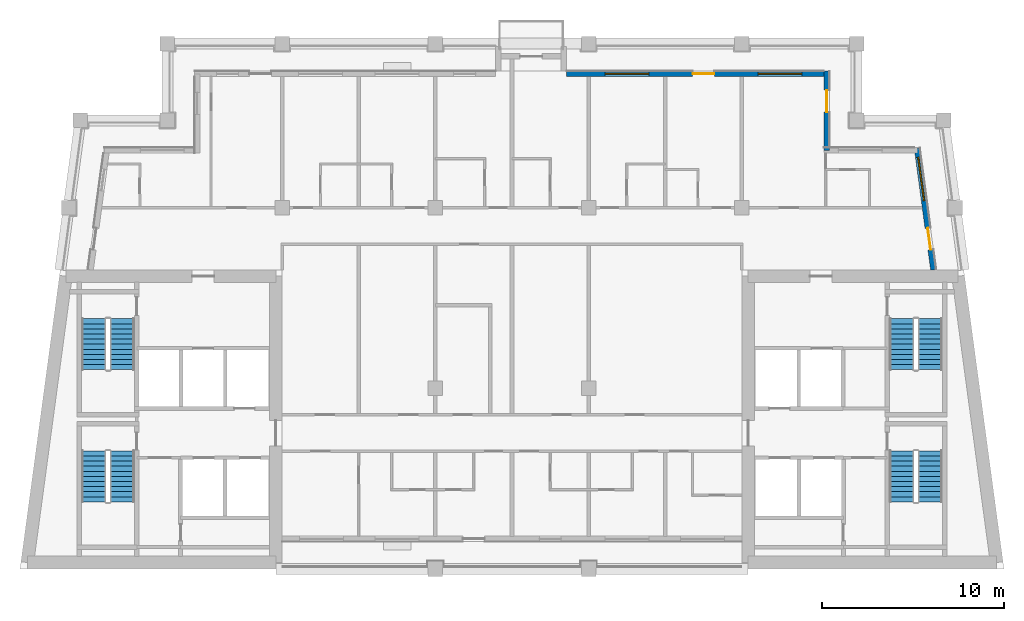
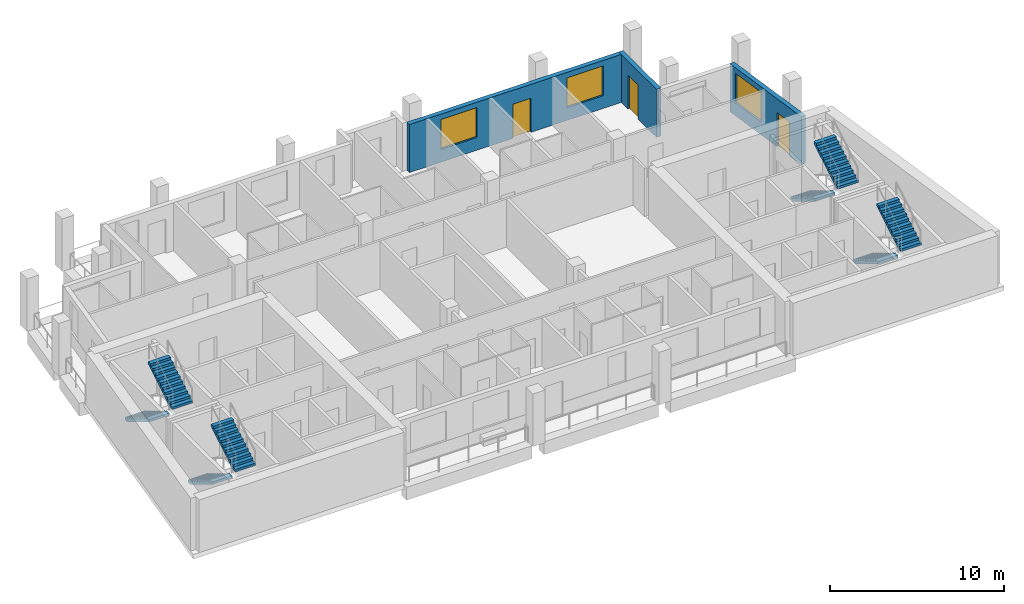
# One storey, part 6 of 10: 8 stair flights, 3 doors, 3 walls, 3 windows, 6 openings, 4 elements without a shape of their own.
"""IFC4 building model written with IfcOpenShell, lengths in metres."""

import ifcopenshell
import ifcopenshell.guid

model = None  # the IFC model being written
_history = None  # IfcOwnerHistory: only IFC2X3 demands one
_inside = {}  # id of a spatial element -> (the spatial element, [elements in it])
_under = {}  # id of a project, library or spatial element -> (it, [spatial elements below it])
_declared = {}  # id of a project -> (the project, [libraries it declares])
_typed = {}  # id of a type object -> (the type object, [elements of that type])
_made_of = {}  # id of a material, layer set ... -> (it, [elements and type objects made of it])


def new_model(schema):
    """Start an empty IFC model of exactly this schema.

    Asked for "IFC4X3", IfcOpenShell would pick the latest addendum, in which some entities
    have other attributes; the version numbers below select the first issue.
    IFC2X3 requires an IfcOwnerHistory on every rooted entity: one is made here for all.
    """
    global model, _history
    if schema == "IFC4X3":
        model = ifcopenshell.file(schema_version=(4, 3, 0, 0))
    else:
        model = ifcopenshell.file(schema=schema)
    _inside.clear()
    _under.clear()
    _declared.clear()
    _typed.clear()
    _made_of.clear()
    _history = None
    if model.schema == "IFC2X3":
        org = make("IfcOrganization", Name="unknown")
        user = make(
            "IfcPersonAndOrganization",
            ThePerson=make("IfcPerson", FamilyName="unknown"),
            TheOrganization=org,
        )
        app = make(
            "IfcApplication",
            ApplicationDeveloper=org,
            Version="unknown",
            ApplicationFullName="unknown",
            ApplicationIdentifier="unknown",
        )
        _history = make(
            "IfcOwnerHistory",
            OwningUser=user,
            OwningApplication=app,
            ChangeAction="ADDED",
            CreationDate=0,
        )
    return model


def make(cls, **values):
    """One entity of the class cls with the attributes given. An attribute that is None is left unset."""
    return model.create_entity(
        cls, **{name: value for name, value in values.items() if value is not None}
    )


def rooted(cls, **values):
    """An entity with a GlobalId (a new one), such as an element, a storey or a relation."""
    return make(cls, GlobalId=ifcopenshell.guid.new(), OwnerHistory=_history, **values)


def si_unit(unit_type, name, prefix=None):
    """IfcSIUnit, for example si_unit("LENGTHUNIT", "METRE", prefix="MILLI")."""
    return make("IfcSIUnit", UnitType=unit_type, Prefix=prefix, Name=name)


def assignment(units):
    """IfcUnitAssignment: the units of a project."""
    return None if units is None else make("IfcUnitAssignment", Units=units)


def point(xyz):
    """IfcCartesianPoint."""
    return None if xyz is None else make("IfcCartesianPoint", Coordinates=xyz)


def direction(xyz):
    """IfcDirection."""
    return None if xyz is None else make("IfcDirection", DirectionRatios=xyz)


def frame(location, z_axis=None, x_axis=None):
    """IfcAxis2Placement3D, a coordinate frame: its origin and axes. An axis left out is left unset."""
    return make(
        "IfcAxis2Placement3D",
        Location=point(location),
        Axis=direction(z_axis),
        RefDirection=direction(x_axis),
    )


def frame_2d(location, x_axis=None):
    """IfcAxis2Placement2D, a coordinate frame in the plane: its origin and x axis."""
    return make(
        "IfcAxis2Placement2D", Location=point(location), RefDirection=direction(x_axis)
    )


def origin():
    """The frame at (0, 0, 0) with its axes left unset."""
    return frame((0.0, 0.0, 0.0))


def place(relative_to, where):
    """IfcLocalPlacement: puts the frame where relative to a parent placement (None: the world)."""
    return make(
        "IfcLocalPlacement", PlacementRelTo=relative_to, RelativePlacement=where
    )


def context(
    kind, dimensions, precision=None, world=None, true_north=None, identifier=None
):
    """IfcGeometricRepresentationContext, for example the 3D "Model" context."""
    return make(
        "IfcGeometricRepresentationContext",
        ContextIdentifier=identifier,
        ContextType=kind,
        CoordinateSpaceDimension=dimensions,
        Precision=precision,
        WorldCoordinateSystem=world,
        TrueNorth=true_north,
    )


def subcontext(parent, identifier, kind, view, scale=None):
    """IfcGeometricRepresentationSubContext, for example "Body" below "Model"."""
    return make(
        "IfcGeometricRepresentationSubContext",
        ContextIdentifier=identifier,
        ContextType=kind,
        ParentContext=parent,
        TargetScale=scale,
        TargetView=view,
    )


def project(units=None, contexts=None):
    """IfcProject with its units and contexts."""
    return rooted(
        "IfcProject",
        Name="project",
        RepresentationContexts=contexts,
        UnitsInContext=assignment(units),
    )


def spatial(cls, under=None, at=None, **own):
    """A site, building, storey or space (cls), placed at a placement, below another one or the project."""
    s = rooted(cls, ObjectPlacement=at, **own)
    if under is not None:
        _under.setdefault(under.id(), (under, []))[1].append(s)
    return s


def polyline(points):
    """IfcPolyline through the points."""
    return make("IfcPolyline", Points=[point(p) for p in points])


def profile(cls, at=None, kind="AREA", **sizes):
    """A parametric profile (cls). Its sizes go by their IFC names, for example OverallWidth=200.0."""
    return make(cls, ProfileType=kind, Position=at, **sizes)


def rectangle(**sizes):
    """IfcRectangleProfileDef."""
    return profile("IfcRectangleProfileDef", **sizes)


def outline(outer, holes=None, kind="AREA"):
    """IfcArbitraryClosedProfileDef: a profile drawn as a closed curve; with holes, ...WithVoids."""
    if holes is None:
        return make("IfcArbitraryClosedProfileDef", ProfileType=kind, OuterCurve=outer)
    return make(
        "IfcArbitraryProfileDefWithVoids",
        ProfileType=kind,
        OuterCurve=outer,
        InnerCurves=holes,
    )


def extrude(swept, where, along, depth):
    """IfcExtrudedAreaSolid: the profile swept, set in the frame where, extruded along a direction by depth."""
    return make(
        "IfcExtrudedAreaSolid",
        SweptArea=swept,
        Position=where,
        ExtrudedDirection=direction(along),
        Depth=depth,
    )


def shape(context_of_items, identifier, shape_type, items):
    """IfcShapeRepresentation: the items that make up one representation, for example the "Body"."""
    return make(
        "IfcShapeRepresentation",
        ContextOfItems=context_of_items,
        RepresentationIdentifier=identifier,
        RepresentationType=shape_type,
        Items=items,
    )


def material(Name=None, Category=None):
    """IfcMaterial."""
    return make("IfcMaterial", Name=Name, Category=Category)


def layer(
    of_material, thickness, ventilated=None, Name=None, Category=None, Priority=None
):
    """IfcMaterialLayer: one layer of a wall or slab, of a material (None: an air gap)."""
    return make(
        "IfcMaterialLayer",
        Material=of_material,
        LayerThickness=thickness,
        IsVentilated=ventilated,
        Name=Name,
        Category=Category,
        Priority=Priority,
    )


def layer_set(layers, Name=None):
    """IfcMaterialLayerSet."""
    return make("IfcMaterialLayerSet", MaterialLayers=layers, LayerSetName=Name)


def made_of(thing, what):
    """Note that an element or type object is made of a material, layer set ...; save() writes the relation."""
    if what is not None:
        _made_of.setdefault(what.id(), (what, []))[1].append(thing)
    return thing


def type_object(cls, material=None, **own):
    """A type object (cls), such as IfcWallType, which elements share."""
    return made_of(rooted(cls, **own), material)


def element(
    cls,
    number,
    at=None,
    inside=None,
    cuts=None,
    type_object=None,
    material=None,
    context=None,
    identifier="Body",
    shape_type=None,
    held_by="IfcProductDefinitionShape",
    body=None,
    shapes=None,
    **own,
):
    """One element of the class cls, such as IfcWall. Its Tag is "e" and its number.

    at: its placement. inside: the storey or other place that contains it. cuts: it is an
    opening in that element (IfcRelVoidsElement). A single representation is given by context,
    identifier, shape_type and body (its items); several are given by shapes. held_by: the class
    of the entity that holds the representations. save() writes the other relations.
    """
    e = rooted(cls, Tag="e%d" % number, ObjectPlacement=at, **own)
    if body is not None:
        shapes = [shape(context, identifier, shape_type, body)]
    if shapes is not None:
        e.Representation = make(held_by, Representations=shapes)
    if inside is not None:
        _inside.setdefault(inside.id(), (inside, []))[1].append(e)
    if cuts is not None:
        rooted(
            "IfcRelVoidsElement", RelatingBuildingElement=cuts, RelatedOpeningElement=e
        )
    if type_object is not None:
        _typed.setdefault(type_object.id(), (type_object, []))[1].append(e)
    return made_of(e, material)


def fill(opening, filler):
    """IfcRelFillsElement: the door or window that sits in an opening."""
    return rooted(
        "IfcRelFillsElement",
        RelatingOpeningElement=opening,
        RelatedBuildingElement=filler,
    )


def aggregate(whole, parts):
    """IfcRelAggregates: a whole, such as a stair, and the parts it consists of."""
    return rooted("IfcRelAggregates", RelatingObject=whole, RelatedObjects=parts)


def save(model, path):
    """Write the relations noted so far, then the file.

    IfcRelAggregates (storeys below a building ...), IfcRelContainedInSpatialStructure (elements
    in a storey), IfcRelDefinesByType, IfcRelAssociatesMaterial and IfcRelDeclares: one each for
    every whole, place, type object, material and project.
    """
    for whole, parts in _under.values():
        aggregate(whole, parts)
    for where, things in _inside.values():
        rooted(
            "IfcRelContainedInSpatialStructure",
            RelatedElements=things,
            RelatingStructure=where,
        )
    for kind, things in _typed.values():
        rooted("IfcRelDefinesByType", RelatedObjects=things, RelatingType=kind)
    for what, things in _made_of.values():
        rooted("IfcRelAssociatesMaterial", RelatedObjects=things, RelatingMaterial=what)
    for by, libraries in _declared.values():
        rooted("IfcRelDeclares", RelatingContext=by, RelatedDefinitions=libraries)
    model.write(path)


model = new_model("IFC4")

# Units and contexts
model_context = context("Model", 3, precision=1e-05, world=origin(), true_north=direction((0.0, 1.0)))
body_context = subcontext(model_context, "Body", "Model", "MODEL_VIEW")
ifc_project = project(units=[si_unit("LENGTHUNIT", "METRE"), si_unit("AREAUNIT", "SQUARE_METRE"), si_unit("VOLUMEUNIT", "CUBIC_METRE"), si_unit("PLANEANGLEUNIT", "RADIAN"), si_unit("MASSUNIT", "GRAM", prefix="KILO")], contexts=[model_context])

# Site, building, storey
site_placement = place(None, origin())
site = spatial("IfcSite", under=ifc_project, at=site_placement, CompositionType="ELEMENT")
building_placement = place(site_placement, origin())
building = spatial("IfcBuilding", under=site, at=building_placement, Name="Candeia Pilgrim Tower and Theatre", CompositionType="ELEMENT")
storey_placement = place(building_placement, frame((0.0, 0.0, 292.300048828125)))
storey = spatial("IfcBuildingStorey", under=building, at=storey_placement, Name="L71", CompositionType="ELEMENT", Elevation=292.300048828125)

# Wall, openings, door, window
ifc_material_1 = material(Name="Ceramic block masonry", Category="masonry")
ifc_layer = layer(ifc_material_1, 0.300048828125)
ifc_layer_set = layer_set([ifc_layer], Name="EW1 glazing-line wall 300")
wall_type = type_object("IfcWallType", Name="EW1 glazing-line wall 300", PredefinedType="SOLIDWALL", material=ifc_layer_set)
wall_1_placement = place(storey_placement, frame((136.50439453125, 132.39990234375, 0.0), z_axis=(0.0, 0.0, 1.0), x_axis=(-0.133399697462, 0.99106231929, 0.0)))
wall_1 = element("IfcWall", 1, at=wall_1_placement, inside=storey, type_object=wall_type, Name="External wall L71-2.0", PredefinedType="SOLIDWALL", context=body_context, shape_type="SweptSolid", body=[
    extrude(rectangle(XDim=6.740478515625, YDim=0.300048828125, at=frame_2d((3.3701171875, 0.0))), origin(), (0.0, 0.0, 1.0), 3.3798828125),
])
opening_1_placement = place(wall_1_placement, frame((1.115234375, 0.0, 0.0)))
opening_1 = element("IfcOpeningElement", 2, at=opening_1_placement, cuts=wall_1, Name="Opening L71-ED662", PredefinedType="OPENING", context=body_context, shape_type="SweptSolid", body=[
    extrude(rectangle(XDim=1.199951171875, YDim=2.39990234375, at=frame_2d((0.60009765625, 1.199951171875))), frame((0.0, 0.16015625, 0.0), z_axis=(0.0, -1.0, 0.0), x_axis=(1.0, 0.0, 0.0)), (0.0, 0.0, 1.0), 0.320068359375),
])
opening_2_placement = place(wall_1_placement, frame((3.83544921875, 0.0, 0.89990234375)))
opening_2 = element("IfcOpeningElement", 3, at=opening_2_placement, cuts=wall_1, Name="Opening W-A", PredefinedType="OPENING", context=body_context, shape_type="SweptSolid", body=[
    extrude(rectangle(XDim=2.39990234375, YDim=2.10009765625, at=frame_2d((1.199951171875, 1.050048828125))), frame((0.0, 0.16015625, 0.0), z_axis=(0.0, -1.0, 0.0), x_axis=(1.0, 0.0, 0.0)), (0.0, 0.0, 1.0), 0.320068359375),
])
ifc_material_2 = material(Name="Aluminium framed glazed door", Category="aluminium")
door_type = type_object("IfcDoorType", Name="Loggia door 1200x2400", OperationType="DOUBLE_DOOR_SINGLE_SWING", PredefinedType="DOOR", material=ifc_material_2)
door_1_placement = place(opening_1_placement, origin())
door_1 = element("IfcDoor", 4, at=door_1_placement, inside=storey, type_object=door_type, Name="Loggia door L71-ED662", OperationType="DOUBLE_DOOR_SINGLE_SWING", OverallHeight=2.39990234375, OverallWidth=1.199951171875, PredefinedType="DOOR", context=body_context, shape_type="SweptSolid", body=[
    extrude(rectangle(XDim=1.199951171875, YDim=2.39990234375, at=frame_2d((0.60009765625, 1.199951171875))), frame((0.0, 0.02490234375, 0.0), z_axis=(0.0, -1.0, 0.0), x_axis=(1.0, 0.0, 0.0)), (0.0, 0.0, 1.0), 0.050048828125),
])
fill(opening_1, door_1)
ifc_material_3 = material(Name="Aluminium framed double glazing", Category="aluminium")
window_type = type_object("IfcWindowType", Name="W-A window 2400x2100", PartitioningType="DOUBLE_PANEL_VERTICAL", PredefinedType="WINDOW", material=ifc_material_3)
window_1_placement = place(opening_2_placement, origin())
window_1 = element("IfcWindow", 5, at=window_1_placement, inside=storey, type_object=window_type, Name="Window W-A L71", OverallHeight=2.10009765625, OverallWidth=2.39990234375, PartitioningType="SINGLE_PANEL", PredefinedType="WINDOW", context=body_context, shape_type="SweptSolid", body=[
    extrude(rectangle(XDim=2.39990234375, YDim=2.10009765625, at=frame_2d((1.199951171875, 1.050048828125))), frame((0.0, 0.030029296875, 0.0), z_axis=(0.0, -1.0, 0.0), x_axis=(1.0, 0.0, 0.0)), (0.0, 0.0, 1.0), 0.06005859375),
])
fill(opening_2, window_1)

# Wall, opening, door
wall_2_placement = place(storey_placement, frame((130.64990234375, 138.949951171875, 0.0), z_axis=(0.0, 0.0, 1.0), x_axis=(0.0, 1.0, 0.0)))
wall_2 = element("IfcWall", 6, at=wall_2_placement, inside=storey, type_object=wall_type, Name="External wall L71-4.0", PredefinedType="SOLIDWALL", context=body_context, shape_type="SweptSolid", body=[
    extrude(rectangle(XDim=4.35009765625, YDim=0.300048828125, at=frame_2d((2.175048828125, 0.0))), origin(), (0.0, 0.0, 1.0), 3.3798828125),
])
opening_3_placement = place(wall_2_placement, frame((2.10009765625, 0.0, 0.0)))
opening_3 = element("IfcOpeningElement", 7, at=opening_3_placement, cuts=wall_2, Name="Opening L71-ED663", PredefinedType="OPENING", context=body_context, shape_type="SweptSolid", body=[
    extrude(rectangle(XDim=1.199951171875, YDim=2.39990234375, at=frame_2d((0.60009765625, 1.199951171875))), frame((0.0, 0.16015625, 0.0), z_axis=(0.0, -1.0, 0.0), x_axis=(1.0, 0.0, 0.0)), (0.0, 0.0, 1.0), 0.320068359375),
])
door_2_placement = place(opening_3_placement, origin())
door_2 = element("IfcDoor", 8, at=door_2_placement, inside=storey, type_object=door_type, Name="Loggia door L71-ED663", OperationType="DOUBLE_DOOR_SINGLE_SWING", OverallHeight=2.39990234375, OverallWidth=1.199951171875, PredefinedType="DOOR", context=body_context, shape_type="SweptSolid", body=[
    extrude(rectangle(XDim=1.199951171875, YDim=2.39990234375, at=frame_2d((0.60009765625, 1.199951171875))), frame((0.0, 0.02490234375, 0.0), z_axis=(0.0, -1.0, 0.0), x_axis=(1.0, 0.0, 0.0)), (0.0, 0.0, 1.0), 0.050048828125),
])
fill(opening_3, door_2)

# Wall, openings, door, windows
wall_3_placement = place(storey_placement, frame((130.64990234375, 143.14990234375, 0.0), z_axis=(0.0, 0.0, 1.0), x_axis=(-1.0, 0.0, 0.0)))
wall_3 = element("IfcWall", 9, at=wall_3_placement, inside=storey, type_object=wall_type, Name="External wall L71-5.0", PredefinedType="SOLIDWALL", context=body_context, shape_type="SweptSolid", body=[
    extrude(rectangle(XDim=14.25, YDim=0.300048828125, at=frame_2d((7.125, 0.0))), origin(), (0.0, 0.0, 1.0), 3.3798828125),
])
opening_4_placement = place(wall_3_placement, frame((1.35009765625, 0.0, 0.89990234375)))
opening_4 = element("IfcOpeningElement", 10, at=opening_4_placement, cuts=wall_3, Name="Opening W-A", PredefinedType="OPENING", context=body_context, shape_type="SweptSolid", body=[
    extrude(rectangle(XDim=2.39990234375, YDim=2.10009765625, at=frame_2d((1.199951171875, 1.050048828125))), frame((0.0, 0.16015625, 0.0), z_axis=(0.0, -1.0, 0.0), x_axis=(1.0, 0.0, 0.0)), (0.0, 0.0, 1.0), 0.320068359375),
])
opening_5_placement = place(wall_3_placement, frame((6.14990234375, 0.0, 0.0)))
opening_5 = element("IfcOpeningElement", 11, at=opening_5_placement, cuts=wall_3, Name="Opening L71-ED664", PredefinedType="OPENING", context=body_context, shape_type="SweptSolid", body=[
    extrude(rectangle(XDim=1.199951171875, YDim=2.39990234375, at=frame_2d((0.60009765625, 1.199951171875))), frame((0.0, 0.16015625, 0.0), z_axis=(0.0, -1.0, 0.0), x_axis=(1.0, 0.0, 0.0)), (0.0, 0.0, 1.0), 0.320068359375),
])
opening_6_placement = place(wall_3_placement, frame((9.75, 0.0, 0.89990234375)))
opening_6 = element("IfcOpeningElement", 12, at=opening_6_placement, cuts=wall_3, Name="Opening W-A", PredefinedType="OPENING", context=body_context, shape_type="SweptSolid", body=[
    extrude(rectangle(XDim=2.39990234375, YDim=2.10009765625, at=frame_2d((1.199951171875, 1.050048828125))), frame((0.0, 0.16015625, 0.0), z_axis=(0.0, -1.0, 0.0), x_axis=(1.0, 0.0, 0.0)), (0.0, 0.0, 1.0), 0.320068359375),
])
door_3_placement = place(opening_5_placement, origin())
door_3 = element("IfcDoor", 13, at=door_3_placement, inside=storey, type_object=door_type, Name="Loggia door L71-ED664", OperationType="DOUBLE_DOOR_SINGLE_SWING", OverallHeight=2.39990234375, OverallWidth=1.199951171875, PredefinedType="DOOR", context=body_context, shape_type="SweptSolid", body=[
    extrude(rectangle(XDim=1.199951171875, YDim=2.39990234375, at=frame_2d((0.60009765625, 1.199951171875))), frame((0.0, 0.02490234375, 0.0), z_axis=(0.0, -1.0, 0.0), x_axis=(1.0, 0.0, 0.0)), (0.0, 0.0, 1.0), 0.050048828125),
])
fill(opening_5, door_3)
window_2_placement = place(opening_4_placement, origin())
window_2 = element("IfcWindow", 14, at=window_2_placement, inside=storey, type_object=window_type, Name="Window W-A L71", OverallHeight=2.10009765625, OverallWidth=2.39990234375, PartitioningType="SINGLE_PANEL", PredefinedType="WINDOW", context=body_context, shape_type="SweptSolid", body=[
    extrude(rectangle(XDim=2.39990234375, YDim=2.10009765625, at=frame_2d((1.199951171875, 1.050048828125))), frame((0.0, 0.030029296875, 0.0), z_axis=(0.0, -1.0, 0.0), x_axis=(1.0, 0.0, 0.0)), (0.0, 0.0, 1.0), 0.06005859375),
])
fill(opening_4, window_2)
window_3_placement = place(opening_6_placement, origin())
window_3 = element("IfcWindow", 15, at=window_3_placement, inside=storey, type_object=window_type, Name="Window W-A L71", OverallHeight=2.10009765625, OverallWidth=2.39990234375, PartitioningType="SINGLE_PANEL", PredefinedType="WINDOW", context=body_context, shape_type="SweptSolid", body=[
    extrude(rectangle(XDim=2.39990234375, YDim=2.10009765625, at=frame_2d((1.199951171875, 1.050048828125))), frame((0.0, 0.030029296875, 0.0), z_axis=(0.0, -1.0, 0.0), x_axis=(1.0, 0.0, 0.0)), (0.0, 0.0, 1.0), 0.06005859375),
])
fill(opening_6, window_3)

# Stair, stair flights
ifc_material_4 = material(Name="Concrete C40/50", Category="concrete")
stair_type = type_object("IfcStairType", Name="ST-TWR dog-leg escape stair", PredefinedType="HALF_TURN_STAIR", material=ifc_material_4)
stair_1_placement = place(storey_placement, origin())
stair_1 = element("IfcStair", 16, at=stair_1_placement, inside=storey, type_object=stair_type, Name="L71 Escape stair ST1", PredefinedType="HALF_TURN_STAIR")
stair_flight_type = type_object("IfcStairFlightType", Name="SFL-RC stair flight", PredefinedType="STRAIGHT", material=ifc_material_4)
stair_flight_1_placement = place(storey_placement, frame((90.47705078125, 122.47509765625, 0.0), z_axis=(0.0, 0.0, 1.0), x_axis=(0.0, -1.0, 0.0)))
stair_flight_1 = element("IfcStairFlight", 17, at=stair_flight_1_placement, type_object=stair_flight_type, Name="ST1 flight 1", NumberOfRisers=11, NumberOfTreads=10, PredefinedType="STRAIGHT", RiserHeight=0.168181818, TreadLength=0.28, context=body_context, shape_type="SweptSolid", body=[
    extrude(outline(polyline([(0.0, 0.0), (0.0, 0.168212890625), (0.280029296875, 0.168212890625), (0.280029296875, 0.33642578125), (0.56005859375, 0.33642578125), (0.56005859375, 0.504638671875), (0.840087890625, 0.504638671875), (0.840087890625, 0.672607421875), (1.1201171875, 0.672607421875), (1.1201171875, 0.8408203125), (1.39990234375, 0.8408203125), (1.39990234375, 1.009033203125), (1.679931640625, 1.009033203125), (1.679931640625, 1.17724609375), (1.9599609375, 1.17724609375), (1.9599609375, 1.345458984375), (2.239990234375, 1.345458984375), (2.239990234375, 1.513671875), (2.52001953125, 1.513671875), (2.52001953125, 1.681884765625), (2.800048828125, 1.681884765625), (2.800048828125, 1.85009765625), (2.800048828125, 1.5068359375), (0.291015625, 0.0), (0.0, 0.0)])), frame((0.0, 0.675048828125, 0.0), z_axis=(0.0, -1.0, 0.0), x_axis=(1.0, 0.0, 0.0)), (0.0, 0.0, 1.0), 1.35009765625),
])
stair_flight_2_placement = place(storey_placement, frame((92.027099609375, 119.675048828125, 1.849853515625), z_axis=(0.0, 0.0, 1.0), x_axis=(0.0, 1.0, 0.0)))
stair_flight_2 = element("IfcStairFlight", 18, at=stair_flight_2_placement, type_object=stair_flight_type, Name="ST1 flight 2", NumberOfRisers=11, NumberOfTreads=10, PredefinedType="STRAIGHT", RiserHeight=0.168181818, TreadLength=0.28, context=body_context, shape_type="SweptSolid", body=[
    extrude(outline(polyline([(0.0, 0.0), (0.0, 0.168212890625), (0.280029296875, 0.168212890625), (0.280029296875, 0.33642578125), (0.56005859375, 0.33642578125), (0.56005859375, 0.504638671875), (0.840087890625, 0.504638671875), (0.840087890625, 0.672607421875), (1.1201171875, 0.672607421875), (1.1201171875, 0.8408203125), (1.39990234375, 0.8408203125), (1.39990234375, 1.009033203125), (1.679931640625, 1.009033203125), (1.679931640625, 1.17724609375), (1.9599609375, 1.17724609375), (1.9599609375, 1.345458984375), (2.239990234375, 1.345458984375), (2.239990234375, 1.513671875), (2.52001953125, 1.513671875), (2.52001953125, 1.681884765625), (2.800048828125, 1.681884765625), (2.800048828125, 1.85009765625), (2.800048828125, 1.5068359375), (0.291015625, 0.0), (0.0, 0.0)])), frame((0.0, 0.675048828125, 0.0), z_axis=(0.0, -1.0, 0.0), x_axis=(1.0, 0.0, 0.0)), (0.0, 0.0, 1.0), 1.35009765625),
])
aggregate(stair_1, [stair_flight_1, stair_flight_2])

stair_2_placement = place(storey_placement, origin())
stair_2 = element("IfcStair", 19, at=stair_2_placement, inside=storey, type_object=stair_type, Name="L71 Escape stair ST2", PredefinedType="HALF_TURN_STAIR")
stair_flight_3_placement = place(storey_placement, frame((90.47705078125, 129.72509765625, 0.0), z_axis=(0.0, 0.0, 1.0), x_axis=(0.0, -1.0, 0.0)))
stair_flight_3 = element("IfcStairFlight", 20, at=stair_flight_3_placement, type_object=stair_flight_type, Name="ST2 flight 1", NumberOfRisers=11, NumberOfTreads=10, PredefinedType="STRAIGHT", RiserHeight=0.168181818, TreadLength=0.28, context=body_context, shape_type="SweptSolid", body=[
    extrude(outline(polyline([(0.0, 0.0), (0.0, 0.168212890625), (0.280029296875, 0.168212890625), (0.280029296875, 0.33642578125), (0.56005859375, 0.33642578125), (0.56005859375, 0.504638671875), (0.840087890625, 0.504638671875), (0.840087890625, 0.672607421875), (1.1201171875, 0.672607421875), (1.1201171875, 0.8408203125), (1.39990234375, 0.8408203125), (1.39990234375, 1.009033203125), (1.679931640625, 1.009033203125), (1.679931640625, 1.17724609375), (1.9599609375, 1.17724609375), (1.9599609375, 1.345458984375), (2.239990234375, 1.345458984375), (2.239990234375, 1.513671875), (2.52001953125, 1.513671875), (2.52001953125, 1.681884765625), (2.800048828125, 1.681884765625), (2.800048828125, 1.85009765625), (2.800048828125, 1.5068359375), (0.291015625, 0.0), (0.0, 0.0)])), frame((0.0, 0.675048828125, 0.0), z_axis=(0.0, -1.0, 0.0), x_axis=(1.0, 0.0, 0.0)), (0.0, 0.0, 1.0), 1.35009765625),
])
stair_flight_4_placement = place(storey_placement, frame((92.027099609375, 126.925048828125, 1.849853515625), z_axis=(0.0, 0.0, 1.0), x_axis=(0.0, 1.0, 0.0)))
stair_flight_4 = element("IfcStairFlight", 21, at=stair_flight_4_placement, type_object=stair_flight_type, Name="ST2 flight 2", NumberOfRisers=11, NumberOfTreads=10, PredefinedType="STRAIGHT", RiserHeight=0.168181818, TreadLength=0.28, context=body_context, shape_type="SweptSolid", body=[
    extrude(outline(polyline([(0.0, 0.0), (0.0, 0.168212890625), (0.280029296875, 0.168212890625), (0.280029296875, 0.33642578125), (0.56005859375, 0.33642578125), (0.56005859375, 0.504638671875), (0.840087890625, 0.504638671875), (0.840087890625, 0.672607421875), (1.1201171875, 0.672607421875), (1.1201171875, 0.8408203125), (1.39990234375, 0.8408203125), (1.39990234375, 1.009033203125), (1.679931640625, 1.009033203125), (1.679931640625, 1.17724609375), (1.9599609375, 1.17724609375), (1.9599609375, 1.345458984375), (2.239990234375, 1.345458984375), (2.239990234375, 1.513671875), (2.52001953125, 1.513671875), (2.52001953125, 1.681884765625), (2.800048828125, 1.681884765625), (2.800048828125, 1.85009765625), (2.800048828125, 1.5068359375), (0.291015625, 0.0), (0.0, 0.0)])), frame((0.0, 0.675048828125, 0.0), z_axis=(0.0, -1.0, 0.0), x_axis=(1.0, 0.0, 0.0)), (0.0, 0.0, 1.0), 1.35009765625),
])
aggregate(stair_2, [stair_flight_3, stair_flight_4])

stair_3_placement = place(storey_placement, origin())
stair_3 = element("IfcStair", 22, at=stair_3_placement, inside=storey, type_object=stair_type, Name="L71 Escape stair ST3", PredefinedType="HALF_TURN_STAIR")
stair_flight_5_placement = place(storey_placement, frame((134.77294921875, 122.47509765625, 0.0), z_axis=(0.0, 0.0, 1.0), x_axis=(0.0, -1.0, 0.0)))
stair_flight_5 = element("IfcStairFlight", 23, at=stair_flight_5_placement, type_object=stair_flight_type, Name="ST3 flight 1", NumberOfRisers=11, NumberOfTreads=10, PredefinedType="STRAIGHT", RiserHeight=0.168181818, TreadLength=0.28, context=body_context, shape_type="SweptSolid", body=[
    extrude(outline(polyline([(0.0, 0.0), (0.0, 0.168212890625), (0.280029296875, 0.168212890625), (0.280029296875, 0.33642578125), (0.56005859375, 0.33642578125), (0.56005859375, 0.504638671875), (0.840087890625, 0.504638671875), (0.840087890625, 0.672607421875), (1.1201171875, 0.672607421875), (1.1201171875, 0.8408203125), (1.39990234375, 0.8408203125), (1.39990234375, 1.009033203125), (1.679931640625, 1.009033203125), (1.679931640625, 1.17724609375), (1.9599609375, 1.17724609375), (1.9599609375, 1.345458984375), (2.239990234375, 1.345458984375), (2.239990234375, 1.513671875), (2.52001953125, 1.513671875), (2.52001953125, 1.681884765625), (2.800048828125, 1.681884765625), (2.800048828125, 1.85009765625), (2.800048828125, 1.5068359375), (0.291015625, 0.0), (0.0, 0.0)])), frame((0.0, 0.675048828125, 0.0), z_axis=(0.0, -1.0, 0.0), x_axis=(1.0, 0.0, 0.0)), (0.0, 0.0, 1.0), 1.35009765625),
])
stair_flight_6_placement = place(storey_placement, frame((136.322998046875, 119.675048828125, 1.849853515625), z_axis=(0.0, 0.0, 1.0), x_axis=(0.0, 1.0, 0.0)))
stair_flight_6 = element("IfcStairFlight", 24, at=stair_flight_6_placement, type_object=stair_flight_type, Name="ST3 flight 2", NumberOfRisers=11, NumberOfTreads=10, PredefinedType="STRAIGHT", RiserHeight=0.168181818, TreadLength=0.28, context=body_context, shape_type="SweptSolid", body=[
    extrude(outline(polyline([(0.0, 0.0), (0.0, 0.168212890625), (0.280029296875, 0.168212890625), (0.280029296875, 0.33642578125), (0.56005859375, 0.33642578125), (0.56005859375, 0.504638671875), (0.840087890625, 0.504638671875), (0.840087890625, 0.672607421875), (1.1201171875, 0.672607421875), (1.1201171875, 0.8408203125), (1.39990234375, 0.8408203125), (1.39990234375, 1.009033203125), (1.679931640625, 1.009033203125), (1.679931640625, 1.17724609375), (1.9599609375, 1.17724609375), (1.9599609375, 1.345458984375), (2.239990234375, 1.345458984375), (2.239990234375, 1.513671875), (2.52001953125, 1.513671875), (2.52001953125, 1.681884765625), (2.800048828125, 1.681884765625), (2.800048828125, 1.85009765625), (2.800048828125, 1.5068359375), (0.291015625, 0.0), (0.0, 0.0)])), frame((0.0, 0.675048828125, 0.0), z_axis=(0.0, -1.0, 0.0), x_axis=(1.0, 0.0, 0.0)), (0.0, 0.0, 1.0), 1.35009765625),
])
aggregate(stair_3, [stair_flight_5, stair_flight_6])

stair_4_placement = place(storey_placement, origin())
stair_4 = element("IfcStair", 25, at=stair_4_placement, inside=storey, type_object=stair_type, Name="L71 Escape stair ST4", PredefinedType="HALF_TURN_STAIR")
stair_flight_7_placement = place(storey_placement, frame((134.77294921875, 129.72509765625, 0.0), z_axis=(0.0, 0.0, 1.0), x_axis=(0.0, -1.0, 0.0)))
stair_flight_7 = element("IfcStairFlight", 26, at=stair_flight_7_placement, type_object=stair_flight_type, Name="ST4 flight 1", NumberOfRisers=11, NumberOfTreads=10, PredefinedType="STRAIGHT", RiserHeight=0.168181818, TreadLength=0.28, context=body_context, shape_type="SweptSolid", body=[
    extrude(outline(polyline([(0.0, 0.0), (0.0, 0.168212890625), (0.280029296875, 0.168212890625), (0.280029296875, 0.33642578125), (0.56005859375, 0.33642578125), (0.56005859375, 0.504638671875), (0.840087890625, 0.504638671875), (0.840087890625, 0.672607421875), (1.1201171875, 0.672607421875), (1.1201171875, 0.8408203125), (1.39990234375, 0.8408203125), (1.39990234375, 1.009033203125), (1.679931640625, 1.009033203125), (1.679931640625, 1.17724609375), (1.9599609375, 1.17724609375), (1.9599609375, 1.345458984375), (2.239990234375, 1.345458984375), (2.239990234375, 1.513671875), (2.52001953125, 1.513671875), (2.52001953125, 1.681884765625), (2.800048828125, 1.681884765625), (2.800048828125, 1.85009765625), (2.800048828125, 1.5068359375), (0.291015625, 0.0), (0.0, 0.0)])), frame((0.0, 0.675048828125, 0.0), z_axis=(0.0, -1.0, 0.0), x_axis=(1.0, 0.0, 0.0)), (0.0, 0.0, 1.0), 1.35009765625),
])
stair_flight_8_placement = place(storey_placement, frame((136.322998046875, 126.925048828125, 1.849853515625), z_axis=(0.0, 0.0, 1.0), x_axis=(0.0, 1.0, 0.0)))
stair_flight_8 = element("IfcStairFlight", 27, at=stair_flight_8_placement, type_object=stair_flight_type, Name="ST4 flight 2", NumberOfRisers=11, NumberOfTreads=10, PredefinedType="STRAIGHT", RiserHeight=0.168181818, TreadLength=0.28, context=body_context, shape_type="SweptSolid", body=[
    extrude(outline(polyline([(0.0, 0.0), (0.0, 0.168212890625), (0.280029296875, 0.168212890625), (0.280029296875, 0.33642578125), (0.56005859375, 0.33642578125), (0.56005859375, 0.504638671875), (0.840087890625, 0.504638671875), (0.840087890625, 0.672607421875), (1.1201171875, 0.672607421875), (1.1201171875, 0.8408203125), (1.39990234375, 0.8408203125), (1.39990234375, 1.009033203125), (1.679931640625, 1.009033203125), (1.679931640625, 1.17724609375), (1.9599609375, 1.17724609375), (1.9599609375, 1.345458984375), (2.239990234375, 1.345458984375), (2.239990234375, 1.513671875), (2.52001953125, 1.513671875), (2.52001953125, 1.681884765625), (2.800048828125, 1.681884765625), (2.800048828125, 1.85009765625), (2.800048828125, 1.5068359375), (0.291015625, 0.0), (0.0, 0.0)])), frame((0.0, 0.675048828125, 0.0), z_axis=(0.0, -1.0, 0.0), x_axis=(1.0, 0.0, 0.0)), (0.0, 0.0, 1.0), 1.35009765625),
])
aggregate(stair_4, [stair_flight_7, stair_flight_8])

save(model, "model.ifc")
